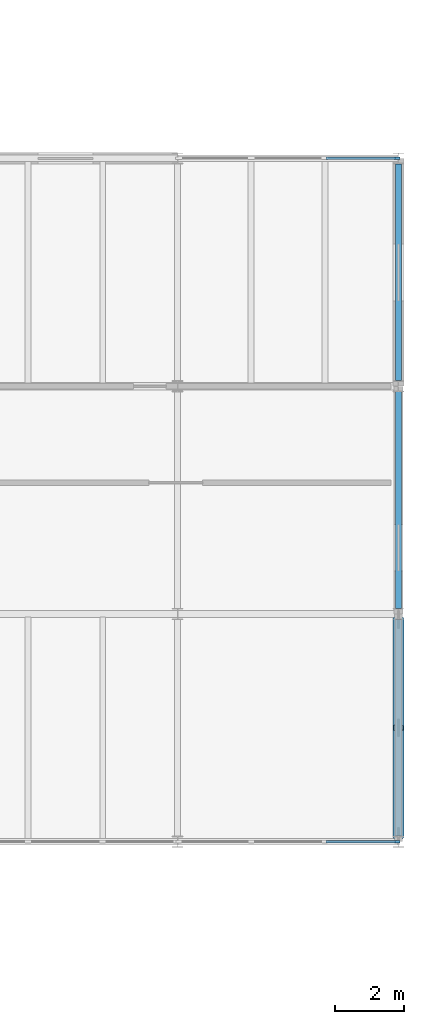
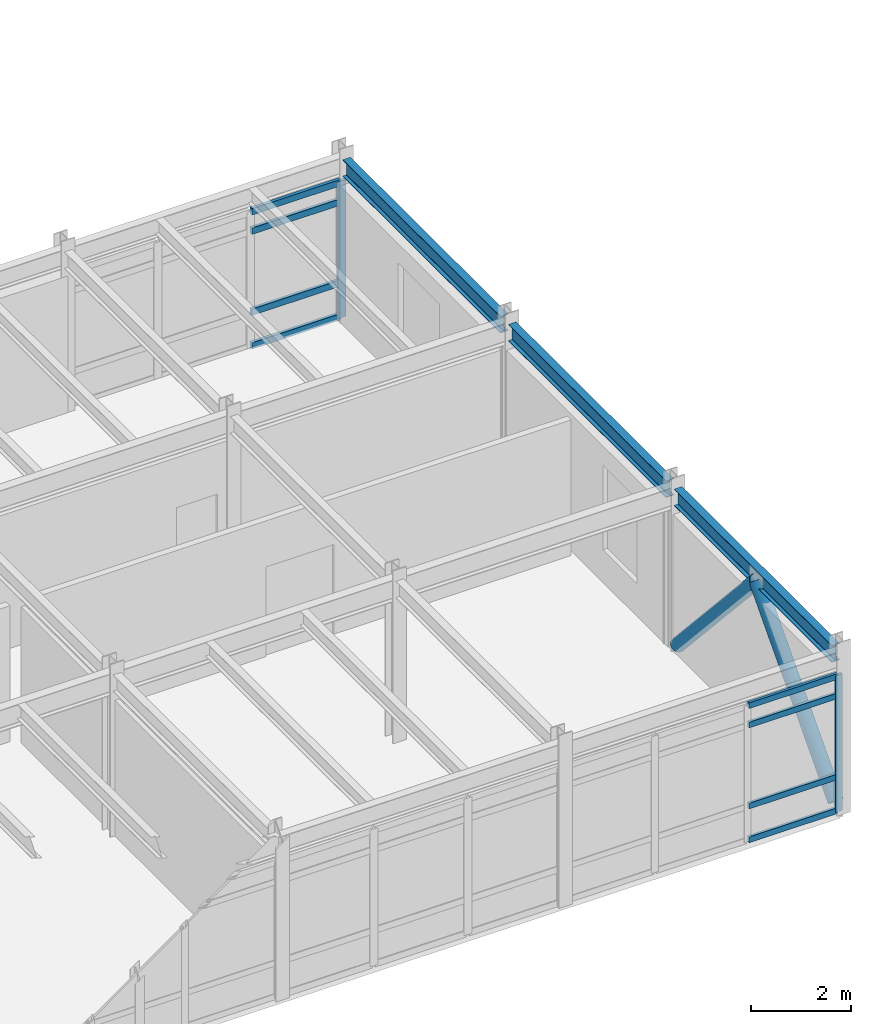
# One storey, part 83 of 144: 12 members, 3 beams, 2 elements without a shape of their own.
"""IFC4 building model written with IfcOpenShell, lengths in metres."""

import ifcopenshell
import ifcopenshell.guid

model = None  # the IFC model being written
_history = None  # IfcOwnerHistory: only IFC2X3 demands one
_inside = {}  # id of a spatial element -> (the spatial element, [elements in it])
_under = {}  # id of a project, library or spatial element -> (it, [spatial elements below it])
_declared = {}  # id of a project -> (the project, [libraries it declares])
_typed = {}  # id of a type object -> (the type object, [elements of that type])
_made_of = {}  # id of a material, layer set ... -> (it, [elements and type objects made of it])


def new_model(schema):
    """Start an empty IFC model of exactly this schema.

    Asked for "IFC4X3", IfcOpenShell would pick the latest addendum, in which some entities
    have other attributes; the version numbers below select the first issue.
    IFC2X3 requires an IfcOwnerHistory on every rooted entity: one is made here for all.
    """
    global model, _history
    if schema == "IFC4X3":
        model = ifcopenshell.file(schema_version=(4, 3, 0, 0))
    else:
        model = ifcopenshell.file(schema=schema)
    _inside.clear()
    _under.clear()
    _declared.clear()
    _typed.clear()
    _made_of.clear()
    _history = None
    if model.schema == "IFC2X3":
        org = make("IfcOrganization", Name="unknown")
        user = make(
            "IfcPersonAndOrganization",
            ThePerson=make("IfcPerson", FamilyName="unknown"),
            TheOrganization=org,
        )
        app = make(
            "IfcApplication",
            ApplicationDeveloper=org,
            Version="unknown",
            ApplicationFullName="unknown",
            ApplicationIdentifier="unknown",
        )
        _history = make(
            "IfcOwnerHistory",
            OwningUser=user,
            OwningApplication=app,
            ChangeAction="ADDED",
            CreationDate=0,
        )
    return model


def make(cls, **values):
    """One entity of the class cls with the attributes given. An attribute that is None is left unset."""
    return model.create_entity(
        cls, **{name: value for name, value in values.items() if value is not None}
    )


def rooted(cls, **values):
    """An entity with a GlobalId (a new one), such as an element, a storey or a relation."""
    return make(cls, GlobalId=ifcopenshell.guid.new(), OwnerHistory=_history, **values)


def si_unit(unit_type, name, prefix=None):
    """IfcSIUnit, for example si_unit("LENGTHUNIT", "METRE", prefix="MILLI")."""
    return make("IfcSIUnit", UnitType=unit_type, Prefix=prefix, Name=name)


def assignment(units):
    """IfcUnitAssignment: the units of a project."""
    return None if units is None else make("IfcUnitAssignment", Units=units)


def point(xyz):
    """IfcCartesianPoint."""
    return None if xyz is None else make("IfcCartesianPoint", Coordinates=xyz)


def direction(xyz):
    """IfcDirection."""
    return None if xyz is None else make("IfcDirection", DirectionRatios=xyz)


def frame(location, z_axis=None, x_axis=None):
    """IfcAxis2Placement3D, a coordinate frame: its origin and axes. An axis left out is left unset."""
    return make(
        "IfcAxis2Placement3D",
        Location=point(location),
        Axis=direction(z_axis),
        RefDirection=direction(x_axis),
    )


def frame_2d(location, x_axis=None):
    """IfcAxis2Placement2D, a coordinate frame in the plane: its origin and x axis."""
    return make(
        "IfcAxis2Placement2D", Location=point(location), RefDirection=direction(x_axis)
    )


def origin():
    """The frame at (0, 0, 0) with its axes left unset."""
    return frame((0.0, 0.0, 0.0))


def origin_2d():
    """The frame at (0, 0) in the plane with its x axis left unset."""
    return frame_2d((0.0, 0.0))


def place(relative_to, where):
    """IfcLocalPlacement: puts the frame where relative to a parent placement (None: the world)."""
    return make(
        "IfcLocalPlacement", PlacementRelTo=relative_to, RelativePlacement=where
    )


def context(
    kind, dimensions, precision=None, world=None, true_north=None, identifier=None
):
    """IfcGeometricRepresentationContext, for example the 3D "Model" context."""
    return make(
        "IfcGeometricRepresentationContext",
        ContextIdentifier=identifier,
        ContextType=kind,
        CoordinateSpaceDimension=dimensions,
        Precision=precision,
        WorldCoordinateSystem=world,
        TrueNorth=true_north,
    )


def subcontext(parent, identifier, kind, view, scale=None):
    """IfcGeometricRepresentationSubContext, for example "Body" below "Model"."""
    return make(
        "IfcGeometricRepresentationSubContext",
        ContextIdentifier=identifier,
        ContextType=kind,
        ParentContext=parent,
        TargetScale=scale,
        TargetView=view,
    )


def project(units=None, contexts=None):
    """IfcProject with its units and contexts."""
    return rooted(
        "IfcProject",
        Name="project",
        RepresentationContexts=contexts,
        UnitsInContext=assignment(units),
    )


def spatial(cls, under=None, at=None, **own):
    """A site, building, storey or space (cls), placed at a placement, below another one or the project."""
    s = rooted(cls, ObjectPlacement=at, **own)
    if under is not None:
        _under.setdefault(under.id(), (under, []))[1].append(s)
    return s


def profile(cls, at=None, kind="AREA", **sizes):
    """A parametric profile (cls). Its sizes go by their IFC names, for example OverallWidth=200.0."""
    return make(cls, ProfileType=kind, Position=at, **sizes)


def rectangle(**sizes):
    """IfcRectangleProfileDef."""
    return profile("IfcRectangleProfileDef", **sizes)


def hollow_circle(**sizes):
    """IfcCircleHollowProfileDef."""
    return profile("IfcCircleHollowProfileDef", **sizes)


def i_section(**sizes):
    """IfcIShapeProfileDef."""
    return profile("IfcIShapeProfileDef", **sizes)


def extrude(swept, where, along, depth):
    """IfcExtrudedAreaSolid: the profile swept, set in the frame where, extruded along a direction by depth."""
    return make(
        "IfcExtrudedAreaSolid",
        SweptArea=swept,
        Position=where,
        ExtrudedDirection=direction(along),
        Depth=depth,
    )


def shape(context_of_items, identifier, shape_type, items):
    """IfcShapeRepresentation: the items that make up one representation, for example the "Body"."""
    return make(
        "IfcShapeRepresentation",
        ContextOfItems=context_of_items,
        RepresentationIdentifier=identifier,
        RepresentationType=shape_type,
        Items=items,
    )


def material(Name=None, Category=None):
    """IfcMaterial."""
    return make("IfcMaterial", Name=Name, Category=Category)


def layer(
    of_material, thickness, ventilated=None, Name=None, Category=None, Priority=None
):
    """IfcMaterialLayer: one layer of a wall or slab, of a material (None: an air gap)."""
    return make(
        "IfcMaterialLayer",
        Material=of_material,
        LayerThickness=thickness,
        IsVentilated=ventilated,
        Name=Name,
        Category=Category,
        Priority=Priority,
    )


def layer_set(layers, Name=None):
    """IfcMaterialLayerSet."""
    return make("IfcMaterialLayerSet", MaterialLayers=layers, LayerSetName=Name)


def material_profile(
    of_material, cross_section, Name=None, Category=None, Priority=None
):
    """IfcMaterialProfile: a cross section and its material."""
    return make(
        "IfcMaterialProfile",
        Name=Name,
        Material=of_material,
        Profile=cross_section,
        Priority=Priority,
        Category=Category,
    )


def profile_set(profiles, Name=None, composite=None):
    """IfcMaterialProfileSet."""
    return make(
        "IfcMaterialProfileSet",
        Name=Name,
        MaterialProfiles=profiles,
        CompositeProfile=composite,
    )


def made_of(thing, what):
    """Note that an element or type object is made of a material, layer set ...; save() writes the relation."""
    if what is not None:
        _made_of.setdefault(what.id(), (what, []))[1].append(thing)
    return thing


def type_object(cls, material=None, **own):
    """A type object (cls), such as IfcWallType, which elements share."""
    return made_of(rooted(cls, **own), material)


def element(
    cls,
    number,
    at=None,
    inside=None,
    cuts=None,
    type_object=None,
    material=None,
    context=None,
    identifier="Body",
    shape_type=None,
    held_by="IfcProductDefinitionShape",
    body=None,
    shapes=None,
    **own,
):
    """One element of the class cls, such as IfcWall. Its Tag is "e" and its number.

    at: its placement. inside: the storey or other place that contains it. cuts: it is an
    opening in that element (IfcRelVoidsElement). A single representation is given by context,
    identifier, shape_type and body (its items); several are given by shapes. held_by: the class
    of the entity that holds the representations. save() writes the other relations.
    """
    e = rooted(cls, Tag="e%d" % number, ObjectPlacement=at, **own)
    if body is not None:
        shapes = [shape(context, identifier, shape_type, body)]
    if shapes is not None:
        e.Representation = make(held_by, Representations=shapes)
    if inside is not None:
        _inside.setdefault(inside.id(), (inside, []))[1].append(e)
    if cuts is not None:
        rooted(
            "IfcRelVoidsElement", RelatingBuildingElement=cuts, RelatedOpeningElement=e
        )
    if type_object is not None:
        _typed.setdefault(type_object.id(), (type_object, []))[1].append(e)
    return made_of(e, material)


def aggregate(whole, parts):
    """IfcRelAggregates: a whole, such as a stair, and the parts it consists of."""
    return rooted("IfcRelAggregates", RelatingObject=whole, RelatedObjects=parts)


def save(model, path):
    """Write the relations noted so far, then the file.

    IfcRelAggregates (storeys below a building ...), IfcRelContainedInSpatialStructure (elements
    in a storey), IfcRelDefinesByType, IfcRelAssociatesMaterial and IfcRelDeclares: one each for
    every whole, place, type object, material and project.
    """
    for whole, parts in _under.values():
        aggregate(whole, parts)
    for where, things in _inside.values():
        rooted(
            "IfcRelContainedInSpatialStructure",
            RelatedElements=things,
            RelatingStructure=where,
        )
    for kind, things in _typed.values():
        rooted("IfcRelDefinesByType", RelatedObjects=things, RelatingType=kind)
    for what, things in _made_of.values():
        rooted("IfcRelAssociatesMaterial", RelatedObjects=things, RelatingMaterial=what)
    for by, libraries in _declared.values():
        rooted("IfcRelDeclares", RelatingContext=by, RelatedDefinitions=libraries)
    model.write(path)


model = new_model("IFC4")

# Units and contexts
model_context = context("Model", 3, precision=1e-05, world=origin(), true_north=direction((0.0, 1.0)))
body_context = subcontext(model_context, "Body", "Model", "MODEL_VIEW")
ifc_project = project(units=[si_unit("LENGTHUNIT", "METRE"), si_unit("AREAUNIT", "SQUARE_METRE"), si_unit("VOLUMEUNIT", "CUBIC_METRE"), si_unit("PLANEANGLEUNIT", "RADIAN"), si_unit("MASSUNIT", "GRAM", prefix="KILO")], contexts=[model_context])

# Site, building, storey
site_placement = place(None, origin())
site = spatial("IfcSite", under=ifc_project, at=site_placement, CompositionType="ELEMENT")
building_placement = place(site_placement, origin())
building = spatial("IfcBuilding", under=site, at=building_placement, Name="Trelmorton Wharf Fire Station", CompositionType="ELEMENT")
storey_placement = place(building_placement, frame((0.0, 0.0, 5.39990234375)))
storey = spatial("IfcBuildingStorey", under=building, at=storey_placement, Name="L01", CompositionType="ELEMENT", Elevation=5.39990234375)

# Beams
ifc_material_1 = material(Name="Steel Grade 350", Category="steel")
ifc_material_profile_1 = material_profile(ifc_material_1, i_section(OverallWidth=0.177978515625, OverallDepth=0.406005859375, WebThickness=0.0078125, FlangeThickness=0.0126953125, FilletRadius=0.011474609375, at=origin_2d()), Name="410UB59.7")
ifc_profile_set_1 = profile_set([ifc_material_profile_1], Name="Steel Grade 350")
beam_type = type_object("IfcBeamType", Name="BM_410UB60", PredefinedType="BEAM", material=ifc_profile_set_1)
for number, where, z_axis, x_axis, name in (
    (1, (162.39990234375, 7.95947265625, 3.72705078125), (0.0, 1.0, 0.0), (-1.0, 0.0, 0.0), "BM-L01-0676"),
    (2, (162.39990234375, 14.5595703125, 3.72705078125), (0.0, 1.0, 0.0), (-1.0, 0.0, 0.0), "BM-L01-0677"),
    (3, (162.39990234375, 21.159423828125, 3.72705078125), (0.0, 1.0, 0.0), (-1.0, 0.0, 0.0), "BM-L01-0678"),
):
    element("IfcBeam", number, at=place(storey_placement, frame(where, z_axis=z_axis, x_axis=x_axis)), inside=storey, type_object=beam_type, Name=name, PredefinedType="BEAM", context=body_context, shape_type="SweptSolid", body=[
        extrude(i_section(OverallWidth=0.177978515625, OverallDepth=0.406005859375, WebThickness=0.0078125, FlangeThickness=0.0126953125, FilletRadius=0.011474609375, at=origin_2d()), origin(), (0.0, 0.0, 1.0), 6.281005859375),
    ])

# Members
ifc_material_2 = material(Name="Steel C450L0 (450 MPa)", Category="steel")
ifc_material_profile_2 = material_profile(ifc_material_2, hollow_circle(Radius=0.161865234375, WallThickness=0.0126953125, at=origin_2d()), Name="323.9x12.7CHS")
ifc_profile_set_2 = profile_set([ifc_material_profile_2], Name="Steel C450L0 (450 MPa)")
member_type_1 = type_object("IfcMemberType", Name="BR_324CHS", PredefinedType="BRACE", material=ifc_profile_set_2)
member_1_placement = place(storey_placement, frame((162.39990234375, 7.96044921875, 0.1201171875), z_axis=(0.0, 0.671996274946, 0.740554526324), x_axis=(-1.0, 0.0, 0.0)))
element("IfcMember", 4, at=member_1_placement, inside=storey, type_object=member_type_1, Name="CBF-V5-E-L01-A", PredefinedType="BRACE", context=body_context, shape_type="SweptSolid", body=[
    extrude(hollow_circle(Radius=0.161865234375, WallThickness=0.0126953125, at=origin_2d()), origin(), (0.0, 0.0, 1.0), 4.672119140625),
])
member_2_placement = place(storey_placement, frame((162.39990234375, 14.239501953125, 0.1201171875), z_axis=(0.0, -0.671967615825, 0.74058053126), x_axis=(1.0, 0.0, 0.0)))
element("IfcMember", 5, at=member_2_placement, inside=storey, type_object=member_type_1, Name="CBF-V5-E-L01-B", PredefinedType="BRACE", context=body_context, shape_type="SweptSolid", body=[
    extrude(hollow_circle(Radius=0.161865234375, WallThickness=0.0126953125, at=origin_2d()), origin(), (0.0, 0.0, 1.0), 4.671875),
])

# Curtain wall, member
ifc_material_3 = material(Name="Anodised aluminium AW-6063", Category="aluminium")
ifc_layer_1 = layer(ifc_material_3, 0.159912109375)
ifc_layer_set_1 = layer_set([ifc_layer_1], Name="Anodised aluminium AW-6063")
curtain_wall_type_1 = type_object("IfcCurtainWallType", Name="CW_CHIC_A", PredefinedType="USERDEFINED", material=ifc_layer_set_1)
curtain_wall_1_placement = place(storey_placement, origin())
curtain_wall_1 = element("IfcCurtainWall", 6, at=curtain_wall_1_placement, inside=storey, type_object=curtain_wall_type_1, Name="CW-V5-L01-045", ObjectType="CHICAGO BAY CURTAIN WALL", PredefinedType="USERDEFINED")
ifc_material_profile_3 = material_profile(ifc_material_3, rectangle(XDim=0.06494140625, YDim=0.159912109375, at=origin_2d()), Name="ALU-65x160")
ifc_profile_set_3 = profile_set([ifc_material_profile_3], Name="Anodised aluminium AW-6063")
member_type_2 = type_object("IfcMemberType", Name="CWM_65x160", PredefinedType="MULLION", material=ifc_profile_set_3)
member_3_placement = place(storey_placement, frame((162.364990234375, 7.800048828125, 0.0), z_axis=(0.0, 0.0, 1.0), x_axis=(0.0, -1.0, 0.0)))
member_3 = element("IfcMember", 7, at=member_3_placement, type_object=member_type_2, Name="CW1 mullion 1", PredefinedType="MULLION", context=body_context, shape_type="SweptSolid", body=[
    extrude(rectangle(XDim=0.06494140625, YDim=0.159912109375, at=origin_2d()), origin(), (0.0, 0.0, 1.0), 3.320068359375),
])

ifc_layer_2 = layer(ifc_material_3, 0.14990234375)
ifc_layer_set_2 = layer_set([ifc_layer_2], Name="Anodised aluminium AW-6063")
curtain_wall_type_2 = type_object("IfcCurtainWallType", Name="CW_UNIT_A", PredefinedType="USERDEFINED", material=ifc_layer_set_2)
curtain_wall_2_placement = place(storey_placement, origin())
curtain_wall_2 = element("IfcCurtainWall", 8, at=curtain_wall_2_placement, inside=storey, type_object=curtain_wall_type_2, Name="CW-V5-L01-048", ObjectType="UNITISED CURTAIN WALL", PredefinedType="USERDEFINED")
ifc_material_profile_4 = material_profile(ifc_material_3, rectangle(XDim=0.074951171875, YDim=0.175048828125, at=origin_2d()), Name="ALU-75x175")
ifc_profile_set_4 = profile_set([ifc_material_profile_4], Name="Anodised aluminium AW-6063")
member_type_3 = type_object("IfcMemberType", Name="CWM_75x175", PredefinedType="MULLION", material=ifc_profile_set_4)
member_4_placement = place(storey_placement, frame((162.364990234375, 27.60009765625, 0.0), z_axis=(0.0, 0.0, 1.0), x_axis=(0.0, 1.0, 0.0)))
member_4 = element("IfcMember", 9, at=member_4_placement, type_object=member_type_3, Name="CW3 mullion 4", PredefinedType="MULLION", context=body_context, shape_type="SweptSolid", body=[
    extrude(rectangle(XDim=0.074951171875, YDim=0.175048828125, at=origin_2d()), origin(), (0.0, 0.0, 1.0), 3.320068359375),
])

# Member
ifc_material_profile_5 = material_profile(ifc_material_3, rectangle(XDim=0.06494140625, YDim=0.139892578125, at=origin_2d()), Name="ALU-65x140")
ifc_profile_set_5 = profile_set([ifc_material_profile_5], Name="Anodised aluminium AW-6063")
member_type_4 = type_object("IfcMemberType", Name="CWT_65x140", PredefinedType="USERDEFINED", material=ifc_profile_set_5)
member_5_placement = place(storey_placement, frame((162.3349609375, 7.800048828125, 0.030029296875), z_axis=(-1.0, 0.0, 0.0), x_axis=(0.0, -1.0, 0.0)))
member_5 = element("IfcMember", 10, at=member_5_placement, type_object=member_type_4, Name="CW1 transom 1.1", ObjectType="TRANSOM", PredefinedType="USERDEFINED", context=body_context, shape_type="SweptSolid", body=[
    extrude(rectangle(XDim=0.06494140625, YDim=0.139892578125, at=origin_2d()), origin(), (0.0, 0.0, 1.0), 2.0400390625),
])

member_6_placement = place(storey_placement, frame((162.3349609375, 7.800048828125, 0.85009765625), z_axis=(-1.0, 0.0, 0.0), x_axis=(0.0, -1.0, 0.0)))
member_6 = element("IfcMember", 11, at=member_6_placement, type_object=member_type_4, Name="CW1 transom 1.2", ObjectType="TRANSOM", PredefinedType="USERDEFINED", context=body_context, shape_type="SweptSolid", body=[
    extrude(rectangle(XDim=0.06494140625, YDim=0.139892578125, at=origin_2d()), origin(), (0.0, 0.0, 1.0), 2.0400390625),
])

member_7_placement = place(storey_placement, frame((162.3349609375, 7.800048828125, 2.820068359375), z_axis=(-1.0, 0.0, 0.0), x_axis=(0.0, -1.0, 0.0)))
member_7 = element("IfcMember", 12, at=member_7_placement, type_object=member_type_4, Name="CW1 transom 1.3", ObjectType="TRANSOM", PredefinedType="USERDEFINED", context=body_context, shape_type="SweptSolid", body=[
    extrude(rectangle(XDim=0.06494140625, YDim=0.139892578125, at=origin_2d()), origin(), (0.0, 0.0, 1.0), 2.0400390625),
])

member_8_placement = place(storey_placement, frame((162.3349609375, 7.800048828125, 3.2900390625), z_axis=(-1.0, 0.0, 0.0), x_axis=(0.0, -1.0, 0.0)))
member_8 = element("IfcMember", 13, at=member_8_placement, type_object=member_type_4, Name="CW1 transom 1.4", ObjectType="TRANSOM", PredefinedType="USERDEFINED", context=body_context, shape_type="SweptSolid", body=[
    extrude(rectangle(XDim=0.06494140625, YDim=0.139892578125, at=origin_2d()), origin(), (0.0, 0.0, 1.0), 2.0400390625),
])

aggregate(curtain_wall_1, [member_3, member_5, member_6, member_7, member_8])

ifc_material_profile_6 = material_profile(ifc_material_3, rectangle(XDim=0.074951171875, YDim=0.155029296875, at=origin_2d()), Name="ALU-75x155")
ifc_profile_set_6 = profile_set([ifc_material_profile_6], Name="Anodised aluminium AW-6063")
member_type_5 = type_object("IfcMemberType", Name="CWT_75x155", PredefinedType="USERDEFINED", material=ifc_profile_set_6)
member_9_placement = place(storey_placement, frame((160.294921875, 27.60009765625, 0.030029296875), z_axis=(1.0, 0.0, 0.0), x_axis=(0.0, 1.0, 0.0)))
member_9 = element("IfcMember", 14, at=member_9_placement, type_object=member_type_5, Name="CW3 transom 3.1", ObjectType="TRANSOM", PredefinedType="USERDEFINED", context=body_context, shape_type="SweptSolid", body=[
    extrude(rectangle(XDim=0.074951171875, YDim=0.155029296875, at=origin_2d()), origin(), (0.0, 0.0, 1.0), 2.0400390625),
])

member_10_placement = place(storey_placement, frame((160.294921875, 27.60009765625, 0.85009765625), z_axis=(1.0, 0.0, 0.0), x_axis=(0.0, 1.0, 0.0)))
member_10 = element("IfcMember", 15, at=member_10_placement, type_object=member_type_5, Name="CW3 transom 3.2", ObjectType="TRANSOM", PredefinedType="USERDEFINED", context=body_context, shape_type="SweptSolid", body=[
    extrude(rectangle(XDim=0.074951171875, YDim=0.155029296875, at=origin_2d()), origin(), (0.0, 0.0, 1.0), 2.0400390625),
])

member_11_placement = place(storey_placement, frame((160.294921875, 27.60009765625, 2.820068359375), z_axis=(1.0, 0.0, 0.0), x_axis=(0.0, 1.0, 0.0)))
member_11 = element("IfcMember", 16, at=member_11_placement, type_object=member_type_5, Name="CW3 transom 3.3", ObjectType="TRANSOM", PredefinedType="USERDEFINED", context=body_context, shape_type="SweptSolid", body=[
    extrude(rectangle(XDim=0.074951171875, YDim=0.155029296875, at=origin_2d()), origin(), (0.0, 0.0, 1.0), 2.0400390625),
])

member_12_placement = place(storey_placement, frame((160.294921875, 27.60009765625, 3.2900390625), z_axis=(1.0, 0.0, 0.0), x_axis=(0.0, 1.0, 0.0)))
member_12 = element("IfcMember", 17, at=member_12_placement, type_object=member_type_5, Name="CW3 transom 3.4", ObjectType="TRANSOM", PredefinedType="USERDEFINED", context=body_context, shape_type="SweptSolid", body=[
    extrude(rectangle(XDim=0.074951171875, YDim=0.155029296875, at=origin_2d()), origin(), (0.0, 0.0, 1.0), 2.0400390625),
])

aggregate(curtain_wall_2, [member_4, member_9, member_10, member_11, member_12])

save(model, "model.ifc")
